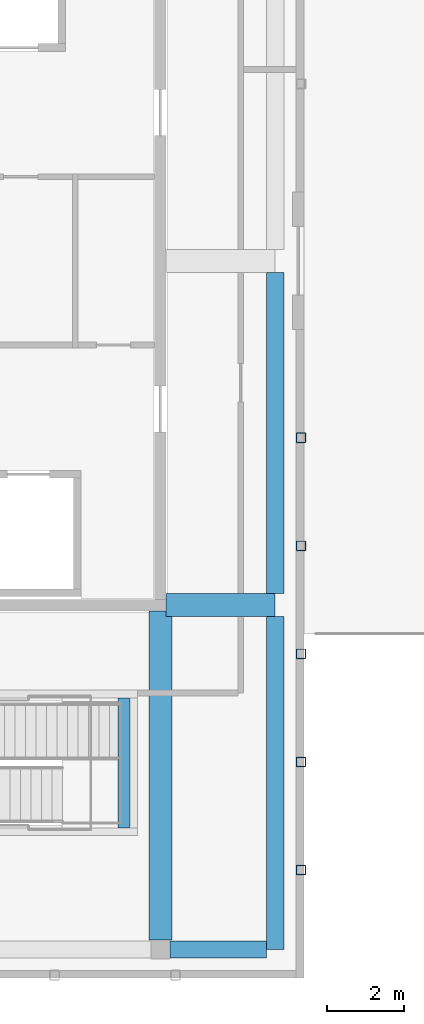
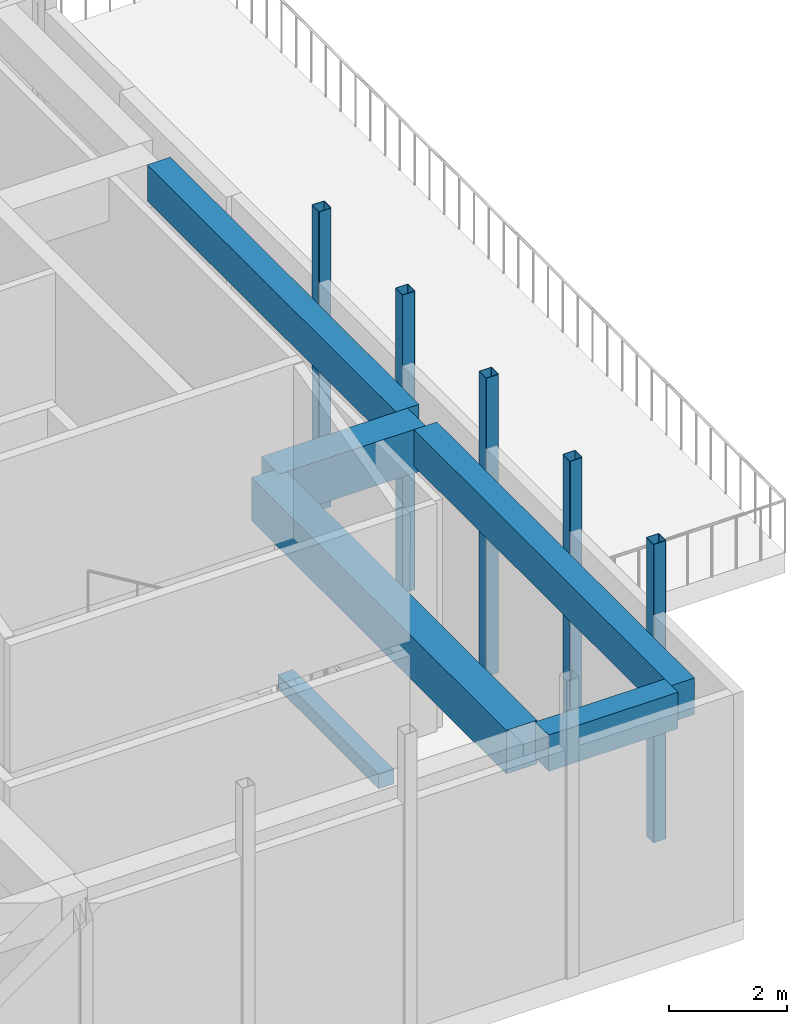
# One storey, part 3 of 11: 6 beams, 5 members.
"""IFC4 building model written with IfcOpenShell, lengths in metres."""

from ifc_helpers import new_model, si_unit, direction, frame, origin, origin_2d, place, context, subcontext, project, spatial, rectangle, hollow_rectangle, extrude, material, material_profile, profile_set, type_object, element, save


model = new_model("IFC4")

# Units and contexts
model_context = context("Model", 3, precision=1e-05, world=origin(), true_north=direction((0.0, 1.0)))
body_context = subcontext(model_context, "Body", "Model", "MODEL_VIEW")
ifc_project = project(units=[si_unit("LENGTHUNIT", "METRE"), si_unit("AREAUNIT", "SQUARE_METRE"), si_unit("VOLUMEUNIT", "CUBIC_METRE"), si_unit("PLANEANGLEUNIT", "RADIAN"), si_unit("MASSUNIT", "GRAM", prefix="KILO")], contexts=[model_context])

# Site, building, storey
site_placement = place(None, origin())
site = spatial("IfcSite", under=ifc_project, at=site_placement, CompositionType="ELEMENT")
building_placement = place(site_placement, origin())
building = spatial("IfcBuilding", under=site, at=building_placement, Name="Tuart Plaza Theatre", CompositionType="ELEMENT")
storey_placement = place(building_placement, frame((0.0, 0.0, 65.5)))
storey = spatial("IfcBuildingStorey", under=building, at=storey_placement, Name="L16", CompositionType="ELEMENT", Elevation=65.5)

# Beams
ifc_material_1 = material(Name="Concrete N40 (40 MPa)", Category="concrete")
ifc_material_profile_1 = material_profile(ifc_material_1, rectangle(XDim=0.300048828125, YDim=0.300048828125, at=origin_2d()), Name="BEAM 300x300 Concrete N40 (40 MPa)")
ifc_profile_set_1 = profile_set([ifc_material_profile_1], Name="Concrete N40 (40 MPa)")
beam_type_1 = type_object("IfcBeamType", Name="BEAM 300x300 Concrete N40 (40 MPa)", PredefinedType="BEAM", material=ifc_profile_set_1)
beam_1_placement = place(storey_placement, frame((140.048095703125, 59.175048828125, 2.14990234375), z_axis=(0.0, 1.0, 0.0), x_axis=(-1.0, 0.0, 0.0)))
element("IfcBeam", 1, at=beam_1_placement, inside=storey, type_object=beam_type_1, Name="RB548", PredefinedType="BEAM", context=body_context, shape_type="SweptSolid", body=[
    extrude(rectangle(XDim=0.300048828125, YDim=0.300048828125, at=origin_2d()), origin(), (0.0, 0.0, 1.0), 3.39990234375),
])
ifc_material_2 = material(Name="Concrete N40 (40 MPa)", Category="concrete")
ifc_material_profile_2 = material_profile(ifc_material_2, rectangle(XDim=0.449951171875, YDim=0.75, at=origin_2d()), Name="BEAM 450x750 Concrete N40 (40 MPa)")
ifc_profile_set_2 = profile_set([ifc_material_profile_2], Name="Concrete N40 (40 MPa)")
beam_type_2 = type_object("IfcBeamType", Name="BEAM 450x750 Concrete N40 (40 MPa)", PredefinedType="BEAM", material=ifc_profile_set_2)
beam_2_placement = place(storey_placement, frame((141.25, 56.0, 4.324951171875), z_axis=(1.0, 0.0, 0.0), x_axis=(0.0, 1.0, 0.0)))
element("IfcBeam", 2, at=beam_2_placement, inside=storey, type_object=beam_type_2, Name="RB369", PredefinedType="BEAM", context=body_context, shape_type="SweptSolid", body=[
    extrude(rectangle(XDim=0.449951171875, YDim=0.75, at=origin_2d()), origin(), (0.0, 0.0, 1.0), 2.52490234375),
])
beam_3_placement = place(storey_placement, frame((144.0, 56.0, 4.324951171875), z_axis=(0.0, 1.0, 0.0), x_axis=(-1.0, 0.0, 0.0)))
element("IfcBeam", 3, at=beam_3_placement, inside=storey, type_object=beam_type_2, Name="RB375", PredefinedType="BEAM", context=body_context, shape_type="SweptSolid", body=[
    extrude(rectangle(XDim=0.449951171875, YDim=0.75, at=origin_2d()), origin(), (0.0, 0.0, 1.0), 8.699951171875),
])
beam_4_placement = place(storey_placement, frame((144.0, 65.300048828125, 4.324951171875), z_axis=(0.0, 1.0, 0.0), x_axis=(-1.0, 0.0, 0.0)))
element("IfcBeam", 4, at=beam_4_placement, inside=storey, type_object=beam_type_2, Name="RB376", PredefinedType="BEAM", context=body_context, shape_type="SweptSolid", body=[
    extrude(rectangle(XDim=0.449951171875, YDim=0.75, at=origin_2d()), origin(), (0.0, 0.0, 1.0), 8.39990234375),
])
ifc_material_3 = material(Name="Concrete N40 (40 MPa)", Category="concrete")
ifc_material_profile_3 = material_profile(ifc_material_3, rectangle(XDim=0.60009765625, YDim=0.89990234375, at=origin_2d()), Name="BEAM 600x900 Concrete N40 (40 MPa)")
ifc_profile_set_3 = profile_set([ifc_material_profile_3], Name="Concrete N40 (40 MPa)")
beam_type_3 = type_object("IfcBeamType", Name="BEAM 600x900 Concrete N40 (40 MPa)", PredefinedType="BEAM", material=ifc_profile_set_3)
beam_5_placement = place(storey_placement, frame((141.0, 56.25, 4.25), z_axis=(0.0, 1.0, 0.0), x_axis=(-1.0, 0.0, 0.0)))
element("IfcBeam", 5, at=beam_5_placement, inside=storey, type_object=beam_type_3, Name="RB368", PredefinedType="BEAM", context=body_context, shape_type="SweptSolid", body=[
    extrude(rectangle(XDim=0.60009765625, YDim=0.89990234375, at=origin_2d()), origin(), (0.0, 0.0, 1.0), 8.60009765625),
])
beam_6_placement = place(storey_placement, frame((141.14990234375, 65.0, 4.25), z_axis=(1.0, 0.0, 0.0), x_axis=(0.0, 1.0, 0.0)))
element("IfcBeam", 6, at=beam_6_placement, inside=storey, type_object=beam_type_3, Name="RB372", PredefinedType="BEAM", context=body_context, shape_type="SweptSolid", body=[
    extrude(rectangle(XDim=0.60009765625, YDim=0.89990234375, at=origin_2d()), origin(), (0.0, 0.0, 1.0), 2.85009765625),
])

# Members
ifc_material_4 = material(Name="Steel Grade C350L0", Category="steel")
ifc_material_profile_4 = material_profile(ifc_material_4, hollow_rectangle(XDim=0.25, YDim=0.25, WallThickness=0.010009765625, InnerFilletRadius=0.010009765625, OuterFilletRadius=0.02001953125, at=origin_2d()), Name="250x250x10 SHS")
ifc_profile_set_4 = profile_set([ifc_material_profile_4], Name="Steel Grade C350L0")
member_type = type_object("IfcMemberType", Name="PLANT SCREEN Fin 250x250x10 SHS", PredefinedType="POST", material=ifc_profile_set_4)
for number, where, z_axis, x_axis, name in (
    (7, (144.675048828125, 58.074951171875, 0.0), (0.0, 0.0, 1.0), (1.0, 0.0, 0.0), "PO241"),
    (8, (144.675048828125, 60.89990234375, 0.0), (0.0, 0.0, 1.0), (1.0, 0.0, 0.0), "PO241"),
    (9, (144.675048828125, 63.72509765625, 0.0), (0.0, 0.0, 1.0), (1.0, 0.0, 0.0), "PO241"),
    (10, (144.675048828125, 66.550048828125, 0.0), (0.0, 0.0, 1.0), (1.0, 0.0, 0.0), "PO241"),
    (11, (144.675048828125, 69.375, 0.0), (0.0, 0.0, 1.0), (1.0, 0.0, 0.0), "PO241"),
):
    element("IfcMember", number, at=place(storey_placement, frame(where, z_axis=z_axis, x_axis=x_axis)), inside=storey, type_object=member_type, Name=name, PredefinedType="POST", context=body_context, shape_type="SweptSolid", body=[
        extrude(hollow_rectangle(XDim=0.25, YDim=0.25, WallThickness=0.010009765625, InnerFilletRadius=0.010009765625, OuterFilletRadius=0.02001953125, at=origin_2d()), origin(), (0.0, 0.0, 1.0), 6.14990234375),
    ])

save(model, "model.ifc")
